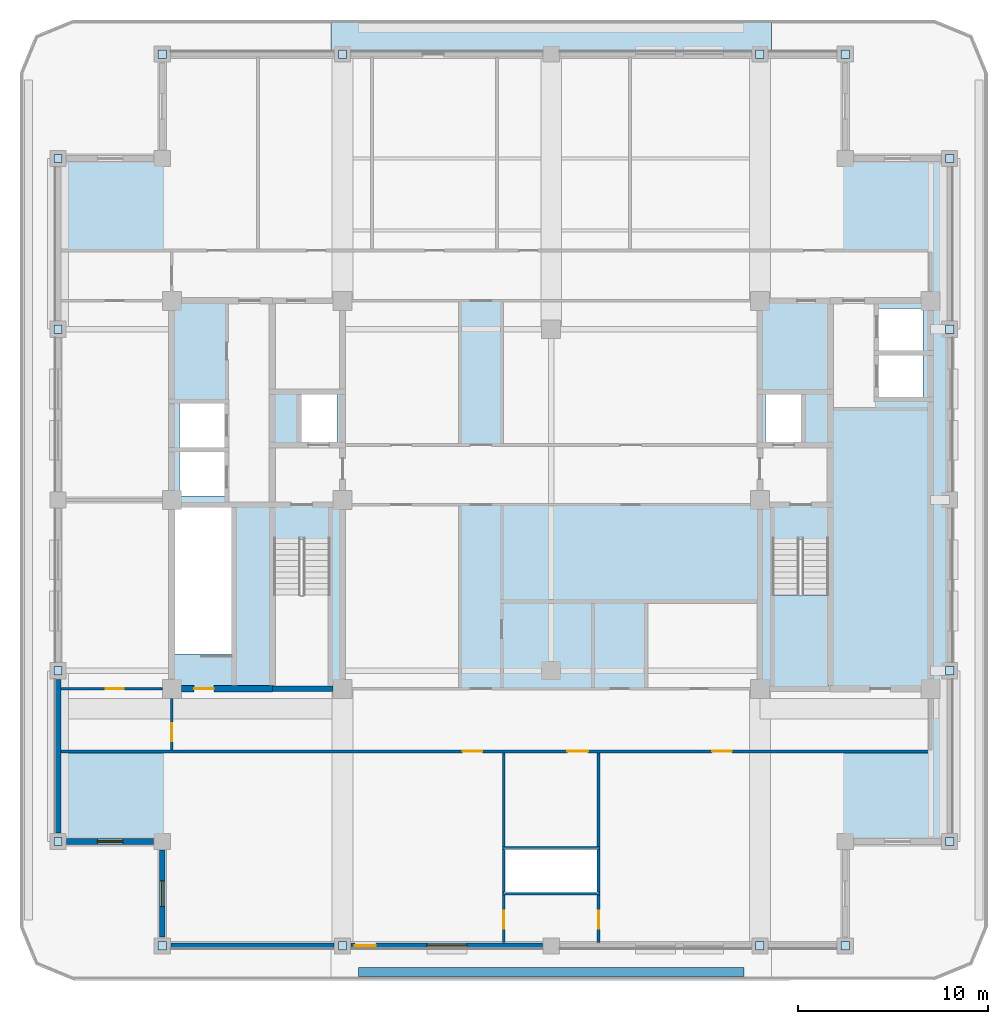
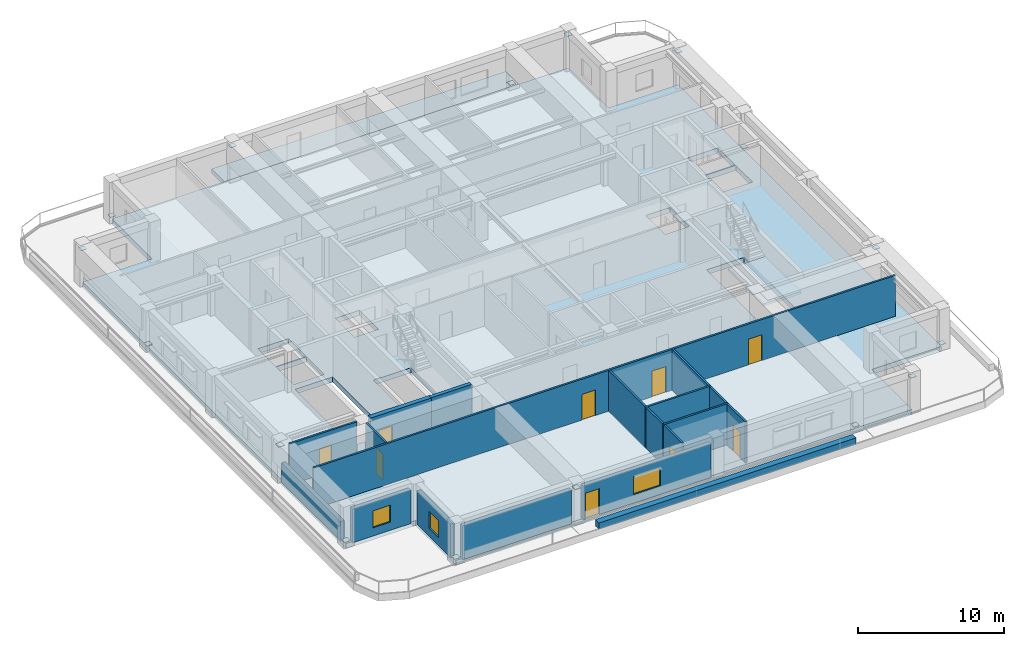
# One storey, part 2 of 11: 19 walls, 16 plates, 9 doors, 3 slabs, 3 windows, 12 openings, 1 element without a shape of its own.
"""IFC4 building model written with IfcOpenShell, lengths in metres."""

from ifc_helpers import new_model, si_unit, direction, frame, frame_2d, origin, origin_2d, place, context, subcontext, project, spatial, polyline, rectangle, outline, extrude, material, layer, layer_set, type_object, element, fill, aggregate, save


model = new_model("IFC4")

# Units and contexts
model_context = context("Model", 3, precision=1e-05, world=origin(), true_north=direction((0.0, 1.0)))
body_context = subcontext(model_context, "Body", "Model", "MODEL_VIEW")
ifc_project = project(units=[si_unit("LENGTHUNIT", "METRE"), si_unit("AREAUNIT", "SQUARE_METRE"), si_unit("VOLUMEUNIT", "CUBIC_METRE"), si_unit("PLANEANGLEUNIT", "RADIAN"), si_unit("MASSUNIT", "GRAM", prefix="KILO")], contexts=[model_context])

# Site, building, storey
site_placement = place(None, origin())
site = spatial("IfcSite", under=ifc_project, at=site_placement, CompositionType="ELEMENT")
building_placement = place(site_placement, origin())
building = spatial("IfcBuilding", under=site, at=building_placement, Name="Zulmaris Gate Convention Tower", CompositionType="ELEMENT")
storey_placement = place(building_placement, frame((0.0, 0.0, 278.06005859375)))
storey = spatial("IfcBuildingStorey", under=building, at=storey_placement, Name="L74", CompositionType="ELEMENT", Elevation=278.06005859375)

# Plates
ifc_material_1 = material(Name="Steel S460", Category="steel")
ifc_layer_1 = layer(ifc_material_1, 0.02490234375, Name="Steel S460")
ifc_layer_set_1 = layer_set([ifc_layer_1], Name="Steel S460")
plate_type = type_object("IfcPlateType", Name="NP-CAP-440", PredefinedType="USERDEFINED", material=ifc_layer_set_1)
for number, where, z_axis, x_axis, name in (
    (1, (-26.0, -18.0, 0.28759765625), (0.0, 0.0, 1.0), (1.0, 0.0, 0.0), "L74 Steel Node Plate PBR-L74-SW-W-CAP"),
    (2, (-26.0, -9.0, 2.782470703125), (0.0, 0.0, 1.0), (1.0, 0.0, 0.0), "L74 Steel Node Plate PBR-L74-SW-W-CAPB"),
    (3, (-26.0, 9.0, 0.28759765625), (0.0, 0.0, 1.0), (1.0, 0.0, 0.0), "L74 Steel Node Plate PBR-L74-NW-W-CAP"),
    (4, (-26.0, 18.0, 2.782470703125), (0.0, 0.0, 1.0), (1.0, 0.0, 0.0), "L74 Steel Node Plate PBR-L74-NW-W-CAPB"),
    (5, (21.0, -18.0, 0.28759765625), (0.0, 0.0, 1.0), (1.0, 0.0, 0.0), "L74 Steel Node Plate PBR-L74-SE-E-CAP"),
    (6, (21.0, -9.0, 2.782470703125), (0.0, 0.0, 1.0), (1.0, 0.0, 0.0), "L74 Steel Node Plate PBR-L74-SE-E-CAPB"),
    (7, (21.0, 9.0, 0.28759765625), (0.0, 0.0, 1.0), (1.0, 0.0, 0.0), "L74 Steel Node Plate PBR-L74-NE-E-CAP"),
    (8, (21.0, 18.0, 2.782470703125), (0.0, 0.0, 1.0), (1.0, 0.0, 0.0), "L74 Steel Node Plate PBR-L74-NE-E-CAPB"),
    (9, (-20.5, -23.5, 0.28759765625), (0.0, 0.0, 1.0), (1.0, 0.0, 0.0), "L74 Steel Node Plate PBR-L74-SW-S-CAP"),
    (10, (-11.0, -23.5, 2.782470703125), (0.0, 0.0, 1.0), (1.0, 0.0, 0.0), "L74 Steel Node Plate PBR-L74-SW-S-CAPB"),
    (11, (11.0, -23.5, 0.28759765625), (0.0, 0.0, 1.0), (1.0, 0.0, 0.0), "L74 Steel Node Plate PBR-L74-SE-S-CAP"),
    (12, (15.5, -23.5, 2.782470703125), (0.0, 0.0, 1.0), (1.0, 0.0, 0.0), "L74 Steel Node Plate PBR-L74-SE-S-CAPB"),
    (13, (-20.5, 23.5, 0.28759765625), (0.0, 0.0, 1.0), (1.0, 0.0, 0.0), "L74 Steel Node Plate PBR-L74-NW-N-CAP"),
    (14, (-11.0, 23.5, 2.782470703125), (0.0, 0.0, 1.0), (1.0, 0.0, 0.0), "L74 Steel Node Plate PBR-L74-NW-N-CAPB"),
    (15, (11.0, 23.5, 0.28759765625), (0.0, 0.0, 1.0), (1.0, 0.0, 0.0), "L74 Steel Node Plate PBR-L74-NE-N-CAP"),
    (16, (15.5, 23.5, 2.782470703125), (0.0, 0.0, 1.0), (1.0, 0.0, 0.0), "L74 Steel Node Plate PBR-L74-NE-N-CAPB"),
):
    element("IfcPlate", number, at=place(storey_placement, frame(where, z_axis=z_axis, x_axis=x_axis)), inside=storey, type_object=plate_type, Name=name, ObjectType="FLANGE PLATE", PredefinedType="USERDEFINED", context=body_context, shape_type="SweptSolid", body=[
        extrude(rectangle(XDim=0.43994140625, YDim=0.43994140625, at=origin_2d()), origin(), (0.0, 0.0, 1.0), 0.02490234375),
    ])

# Slabs
ifc_material_2 = material(Name="Precast concrete C50/60", Category="concrete")
ifc_layer_2 = layer(ifc_material_2, 0.260009765625, Name="Precast concrete C50/60")
ifc_layer_set_2 = layer_set([ifc_layer_2], Name="Precast concrete C50/60")
slab_type_1 = type_object("IfcSlabType", Name="SL-BAL-260", PredefinedType="FLOOR", material=ifc_layer_set_2)
slab_1_placement = place(storey_placement, frame((0.0, 0.0, -0.425048828125)))
element("IfcSlab", 17, at=slab_1_placement, inside=storey, type_object=slab_type_1, Name="L74 North Tree-Balcony Planter Slab", PredefinedType="FLOOR", context=body_context, shape_type="SweptSolid", body=[
    extrude(outline(polyline([(11.597900390625, 25.300048828125), (11.597900390625, 23.5), (-11.597900390625, 23.5), (-11.597900390625, 25.300048828125), (11.597900390625, 25.300048828125)])), origin(), (0.0, 0.0, 1.0), 0.385009765625),
])
ifc_material_3 = material(Name="Concrete C60/75", Category="concrete")
ifc_layer_3 = layer(ifc_material_3, 0.425048828125, Name="Concrete C60/75")
ifc_layer_set_3 = layer_set([ifc_layer_3], Name="Concrete C60/75")
slab_type_2 = type_object("IfcSlabType", Name="SL-FLR-425", PredefinedType="FLOOR", material=ifc_layer_set_3)
slab_2_placement = place(storey_placement, frame((0.0, 0.0, -0.425048828125)))
element("IfcSlab", 18, at=slab_2_placement, inside=storey, type_object=slab_type_2, Name="L74 Shifted Notched-Square Structural Floor Slab", PredefinedType="FLOOR", context=body_context, shape_type="SweptSolid", body=[
    extrude(outline(polyline([(-20.5, -23.5), (15.5, -23.5), (15.5, -18.0), (21.0, -18.0), (21.0, 18.0), (15.5, 18.0), (15.5, 23.5), (-20.5, 23.5), (-20.5, 18.0), (-26.0, 18.0), (-26.0, -18.0), (-20.5, -18.0), (-20.5, -23.5)]), holes=[polyline([(-14.6201171875, -2.080078125), (-14.6201171875, -9.85009765625), (-11.659912109375, -9.85009765625), (-11.659912109375, -2.080078125), (-14.6201171875, -2.080078125)]), polyline([(11.659912109375, -2.080078125), (11.659912109375, -9.85009765625), (14.6201171875, -9.85009765625), (14.6201171875, -2.080078125), (11.659912109375, -2.080078125)]), polyline([(-16.860107421875, -8.1201171875), (-16.860107421875, -0.35009765625), (-19.820068359375, -0.35009765625), (-19.820068359375, -8.1201171875), (-16.860107421875, -8.1201171875)]), polyline([(-13.199951171875, 3.0), (-11.300048828125, 3.0), (-11.300048828125, 5.60009765625), (-13.199951171875, 5.60009765625), (-13.199951171875, 3.0)]), polyline([(11.300048828125, 3.0), (13.199951171875, 3.0), (13.199951171875, 5.60009765625), (11.300048828125, 5.60009765625), (11.300048828125, 3.0)]), polyline([(17.199951171875, 5.39990234375), (19.60009765625, 5.39990234375), (19.60009765625, 7.699951171875), (17.199951171875, 7.699951171875), (17.199951171875, 5.39990234375)]), polyline([(17.199951171875, 7.800048828125), (19.60009765625, 7.800048828125), (19.60009765625, 10.10009765625), (17.199951171875, 10.10009765625), (17.199951171875, 7.800048828125)]), polyline([(-19.60009765625, 0.199951171875), (-17.199951171875, 0.199951171875), (-17.199951171875, 2.60009765625), (-19.60009765625, 2.60009765625), (-19.60009765625, 0.199951171875)]), polyline([(-19.60009765625, 2.699951171875), (-17.199951171875, 2.699951171875), (-17.199951171875, 5.10009765625), (-19.60009765625, 5.10009765625), (-19.60009765625, 2.699951171875)]), polyline([(-2.5, -20.75), (2.5, -20.75), (2.5, -18.35009765625), (-2.5, -18.35009765625), (-2.5, -20.75)])]), origin(), (0.0, 0.0, 1.0), 0.425048828125),
])

# Stair, slab
ifc_material_4 = material(Name="Concrete C45/55", Category="concrete")
stair_type = type_object("IfcStairType", Name="ST-CORE-DOGLEG", PredefinedType="HALF_TURN_STAIR", material=ifc_material_4)
stair_placement = place(storey_placement, origin())
stair = element("IfcStair", 19, at=stair_placement, inside=storey, type_object=stair_type, Name="L74 Core Exit Stair ST-2", PredefinedType="HALF_TURN_STAIR")
ifc_layer_4 = layer(ifc_material_4, 0.199951171875, Name="Concrete C45/55")
ifc_layer_set_4 = layer_set([ifc_layer_4], Name="Concrete C45/55")
slab_type_3 = type_object("IfcSlabType", Name="SL-LND-200", PredefinedType="LANDING", material=ifc_layer_set_4)
slab_3_placement = place(storey_placement, frame((0.0, 0.0, 1.669921875)))
slab_3 = element("IfcSlab", 20, at=slab_3_placement, type_object=slab_type_3, Name="ST-2 landing 1", PredefinedType="LANDING", context=body_context, shape_type="SweptSolid", body=[
    extrude(outline(polyline([(11.659912109375, -5.0), (11.659912109375, -9.85009765625), (14.6201171875, -9.85009765625), (14.6201171875, -5.0), (11.659912109375, -5.0)])), origin(), (0.0, 0.0, 1.0), 0.199951171875),
])
aggregate(stair, [slab_3])

# Wall
ifc_material_5 = material(Name="Concrete C50/60", Category="concrete")
ifc_layer_5 = layer(ifc_material_5, 0.300048828125, Name="Concrete C50/60")
ifc_layer_set_5 = layer_set([ifc_layer_5], Name="Concrete C50/60")
wall_type_1 = type_object("IfcWallType", Name="CORE-300", PredefinedType="SHEAR", material=ifc_layer_set_5)
wall_1_placement = place(storey_placement, frame((-14.699951171875, -9.949951171875, 0.0), z_axis=(0.0, 0.0, 1.0), x_axis=(1.0, 0.0, 0.0)))
element("IfcWall", 21, at=wall_1_placement, inside=storey, type_object=wall_type_1, Name="WL-L74-002", PredefinedType="SHEAR", context=body_context, shape_type="SweptSolid", body=[
    extrude(rectangle(XDim=3.196044921875, YDim=0.300048828125, at=frame_2d((1.59814453125, 0.0))), origin(), (0.0, 0.0, 1.0), 3.4150390625),
])

# Wall, opening, door
ifc_material_6 = material(Name="Concrete C55/67", Category="concrete")
ifc_layer_6 = layer(ifc_material_6, 0.35009765625, Name="Concrete C55/67")
ifc_layer_set_6 = layer_set([ifc_layer_6], Name="Concrete C55/67")
wall_type_2 = type_object("IfcWallType", Name="CORE-350", PredefinedType="SHEAR", material=ifc_layer_set_6)
wall_2_placement = place(storey_placement, frame((-19.49609375, -9.949951171875, 0.0), z_axis=(0.0, 0.0, 1.0), x_axis=(1.0, 0.0, 0.0)))
wall_2 = element("IfcWall", 22, at=wall_2_placement, inside=storey, type_object=wall_type_2, Name="WL-L74-001", PredefinedType="SHEAR", context=body_context, shape_type="SweptSolid", body=[
    extrude(rectangle(XDim=4.796142578125, YDim=0.35009765625, at=frame_2d((2.39794921875, 0.0))), origin(), (0.0, 0.0, 1.0), 3.4150390625),
])
opening_1_placement = place(wall_2_placement, frame((0.6708984375, 0.0, 0.0)))
opening_1 = element("IfcOpeningElement", 23, at=opening_1_placement, cuts=wall_2, Name="Opening D-09", PredefinedType="OPENING", context=body_context, shape_type="SweptSolid", body=[
    extrude(rectangle(XDim=1.050048828125, YDim=2.14990234375, at=frame_2d((0.52490234375, 1.074951171875))), frame((0.0, 0.18505859375, 0.0), z_axis=(0.0, -1.0, 0.0), x_axis=(1.0, 0.0, 0.0)), (0.0, 0.0, 1.0), 0.3701171875),
])
ifc_material_7 = material(Name="Fire-Rated Steel", Category="steel")
door_type_1 = type_object("IfcDoorType", Name="DR-1050-FD", OperationType="NOTDEFINED", PredefinedType="DOOR", material=ifc_material_7)
door_1_placement = place(opening_1_placement, origin())
door_1 = element("IfcDoor", 24, at=door_1_placement, inside=storey, type_object=door_type_1, Name="L74 Exit Stair ST-3 Door 09", OperationType="SINGLE_SWING_LEFT", OverallHeight=2.14990234375, OverallWidth=1.050048828125, PredefinedType="DOOR", context=body_context, shape_type="SweptSolid", body=[
    extrude(rectangle(XDim=1.050048828125, YDim=2.14990234375, at=frame_2d((0.52490234375, 1.074951171875))), frame((0.0, 0.02490234375, 0.0), z_axis=(0.0, -1.0, 0.0), x_axis=(1.0, 0.0, 0.0)), (0.0, 0.0, 1.0), 0.050048828125),
])
fill(opening_1, door_1)

# Walls
ifc_material_8 = material(Name="Gypsum Metal Stud Partition")
ifc_layer_7 = layer(ifc_material_8, 0.14990234375, Name="Gypsum Metal Stud Partition")
ifc_layer_set_7 = layer_set([ifc_layer_7], Name="Gypsum Metal Stud Partition")
wall_type_3 = type_object("IfcWallType", Name="PART-150", PredefinedType="PARTITIONING", material=ifc_layer_set_7)
for number, where, z_axis, x_axis, name in (
    (25, (-2.574951171875, -20.75, 0.0), (0.0, 0.0, 1.0), (1.0, 0.0, 0.0), "WL-L74-019"),
    (26, (-2.574951171875, -18.35009765625, 0.0), (0.0, 0.0, 1.0), (1.0, 0.0, 0.0), "WL-L74-020"),
):
    element("IfcWall", number, at=place(storey_placement, frame(where, z_axis=z_axis, x_axis=x_axis)), inside=storey, type_object=wall_type_3, Name=name, PredefinedType="PARTITIONING", context=body_context, shape_type="SweptSolid", body=[
        extrude(rectangle(XDim=5.14990234375, YDim=0.14990234375, at=frame_2d((2.574951171875, 0.0))), origin(), (0.0, 0.0, 1.0), 3.4150390625),
    ])

# Wall, openings, doors
wall_3_placement = place(storey_placement, frame((-25.8349609375, -13.25, 0.0), z_axis=(0.0, 0.0, 1.0), x_axis=(1.0, 0.0, 0.0)))
wall_3 = element("IfcWall", 27, at=wall_3_placement, inside=storey, type_object=wall_type_3, Name="WL-L74-021", PredefinedType="PARTITIONING", context=body_context, shape_type="SweptSolid", body=[
    extrude(rectangle(XDim=45.909912109375, YDim=0.14990234375, at=frame_2d((22.955078125, 0.0))), origin(), (0.0, 0.0, 1.0), 3.4150390625),
])
opening_2_placement = place(wall_3_placement, frame((26.68505859375, 0.0, 0.0)))
opening_2 = element("IfcOpeningElement", 28, at=opening_2_placement, cuts=wall_3, Name="Opening D-08", PredefinedType="OPENING", context=body_context, shape_type="SweptSolid", body=[
    extrude(rectangle(XDim=1.10009765625, YDim=2.14990234375, at=frame_2d((0.550048828125, 1.074951171875))), frame((0.0, 0.0849609375, 0.0), z_axis=(0.0, -1.0, 0.0), x_axis=(1.0, 0.0, 0.0)), (0.0, 0.0, 1.0), 0.169921875),
])
opening_3_placement = place(wall_3_placement, frame((21.159912109375, 0.0, 0.0)))
opening_3 = element("IfcOpeningElement", 29, at=opening_3_placement, cuts=wall_3, Name="Opening D-09", PredefinedType="OPENING", context=body_context, shape_type="SweptSolid", body=[
    extrude(rectangle(XDim=1.050048828125, YDim=2.14990234375, at=frame_2d((0.52490234375, 1.074951171875))), frame((0.0, 0.0849609375, 0.0), z_axis=(0.0, -1.0, 0.0), x_axis=(1.0, 0.0, 0.0)), (0.0, 0.0, 1.0), 0.169921875),
])
opening_4_placement = place(wall_3_placement, frame((34.31005859375, 0.0, 0.0)))
opening_4 = element("IfcOpeningElement", 30, at=opening_4_placement, cuts=wall_3, Name="Opening D-09", PredefinedType="OPENING", context=body_context, shape_type="SweptSolid", body=[
    extrude(rectangle(XDim=1.050048828125, YDim=2.14990234375, at=frame_2d((0.52490234375, 1.074951171875))), frame((0.0, 0.0849609375, 0.0), z_axis=(0.0, -1.0, 0.0), x_axis=(1.0, 0.0, 0.0)), (0.0, 0.0, 1.0), 0.169921875),
])
door_2_placement = place(opening_3_placement, origin())
door_2 = element("IfcDoor", 31, at=door_2_placement, inside=storey, type_object=door_type_1, Name="L74 Corner Boardroom SW Door 30", OperationType="SINGLE_SWING_RIGHT", OverallHeight=2.14990234375, OverallWidth=1.050048828125, PredefinedType="DOOR", context=body_context, shape_type="SweptSolid", body=[
    extrude(rectangle(XDim=1.050048828125, YDim=2.14990234375, at=frame_2d((0.52490234375, 1.074951171875))), frame((0.0, 0.02490234375, 0.0), z_axis=(0.0, -1.0, 0.0), x_axis=(1.0, 0.0, 0.0)), (0.0, 0.0, 1.0), 0.050048828125),
])
fill(opening_3, door_2)
door_3_placement = place(opening_4_placement, origin())
door_3 = element("IfcDoor", 32, at=door_3_placement, inside=storey, type_object=door_type_1, Name="L74 Corner Boardroom SE Door 31", OperationType="SINGLE_SWING_LEFT", OverallHeight=2.14990234375, OverallWidth=1.050048828125, PredefinedType="DOOR", context=body_context, shape_type="SweptSolid", body=[
    extrude(rectangle(XDim=1.050048828125, YDim=2.14990234375, at=frame_2d((0.52490234375, 1.074951171875))), frame((0.0, 0.02490234375, 0.0), z_axis=(0.0, -1.0, 0.0), x_axis=(1.0, 0.0, 0.0)), (0.0, 0.0, 1.0), 0.050048828125),
])
fill(opening_4, door_3)
door_type_2 = type_object("IfcDoorType", Name="DR-1100-FD", OperationType="NOTDEFINED", PredefinedType="DOOR", material=ifc_material_7)
door_4_placement = place(opening_2_placement, origin())
door_4 = element("IfcDoor", 33, at=door_4_placement, inside=storey, type_object=door_type_2, Name="L74 Mezzanine Gallery Door 29", OperationType="SINGLE_SWING_LEFT", OverallHeight=2.14990234375, OverallWidth=1.10009765625, PredefinedType="DOOR", context=body_context, shape_type="SweptSolid", body=[
    extrude(rectangle(XDim=1.10009765625, YDim=2.14990234375, at=frame_2d((0.550048828125, 1.074951171875))), frame((0.0, 0.02490234375, 0.0), z_axis=(0.0, -1.0, 0.0), x_axis=(1.0, 0.0, 0.0)), (0.0, 0.0, 1.0), 0.050048828125),
])
fill(opening_2, door_4)

# Wall, opening, door
wall_4_placement = place(storey_placement, frame((-25.8349609375, -9.949951171875, 0.0), z_axis=(0.0, 0.0, 1.0), x_axis=(1.0, 0.0, 0.0)))
wall_4 = element("IfcWall", 34, at=wall_4_placement, inside=storey, type_object=wall_type_3, Name="WL-L74-022", PredefinedType="PARTITIONING", context=body_context, shape_type="SweptSolid", body=[
    extrude(rectangle(XDim=5.328857421875, YDim=0.14990234375, at=frame_2d((2.66455078125, 0.0))), origin(), (0.0, 0.0, 1.0), 3.4150390625),
])
opening_5_placement = place(wall_4_placement, frame((2.360107421875, 0.0, 0.0)))
opening_5 = element("IfcOpeningElement", 35, at=opening_5_placement, cuts=wall_4, Name="Opening D-11", PredefinedType="OPENING", context=body_context, shape_type="SweptSolid", body=[
    extrude(rectangle(XDim=0.949951171875, YDim=2.14990234375, at=frame_2d((0.47509765625, 1.074951171875))), frame((0.0, 0.0849609375, 0.0), z_axis=(0.0, -1.0, 0.0), x_axis=(1.0, 0.0, 0.0)), (0.0, 0.0, 1.0), 0.169921875),
])
ifc_material_9 = material(Name="Fire-Rated Timber", Category="wood")
door_type_3 = type_object("IfcDoorType", Name="DR-950-FD", OperationType="NOTDEFINED", PredefinedType="DOOR", material=ifc_material_9)
door_5_placement = place(opening_5_placement, origin())
door_5 = element("IfcDoor", 36, at=door_5_placement, inside=storey, type_object=door_type_3, Name="L74 SW Partner Door 42", OperationType="SINGLE_SWING_RIGHT", OverallHeight=2.14990234375, OverallWidth=0.949951171875, PredefinedType="DOOR", context=body_context, shape_type="SweptSolid", body=[
    extrude(rectangle(XDim=0.949951171875, YDim=2.14990234375, at=frame_2d((0.47509765625, 1.074951171875))), frame((0.0, 0.02490234375, 0.0), z_axis=(0.0, -1.0, 0.0), x_axis=(1.0, 0.0, 0.0)), (0.0, 0.0, 1.0), 0.050048828125),
])
fill(opening_5, door_5)

wall_5_placement = place(storey_placement, frame((-20.0, -13.172119140625, 0.0), z_axis=(0.0, 0.0, 1.0), x_axis=(0.0, 1.0, 0.0)))
wall_5 = element("IfcWall", 37, at=wall_5_placement, inside=storey, type_object=wall_type_3, Name="WL-L74-064", PredefinedType="PARTITIONING", context=body_context, shape_type="SweptSolid", body=[
    extrude(rectangle(XDim=2.716064453125, YDim=0.14990234375, at=frame_2d((1.35791015625, 0.0))), origin(), (0.0, 0.0, 1.0), 3.4150390625),
])
opening_6_placement = place(wall_5_placement, frame((0.45703125, 0.0, 0.0)))
opening_6 = element("IfcOpeningElement", 38, at=opening_6_placement, cuts=wall_5, Name="Opening D-11", PredefinedType="OPENING", context=body_context, shape_type="SweptSolid", body=[
    extrude(rectangle(XDim=0.949951171875, YDim=2.14990234375, at=frame_2d((0.47509765625, 1.074951171875))), frame((0.0, 0.0849609375, 0.0), z_axis=(0.0, -1.0, 0.0), x_axis=(1.0, 0.0, 0.0)), (0.0, 0.0, 1.0), 0.169921875),
])
door_6_placement = place(opening_6_placement, origin())
door_6 = element("IfcDoor", 39, at=door_6_placement, inside=storey, type_object=door_type_3, Name="L74 SW Spur Door 40", OperationType="SINGLE_SWING_RIGHT", OverallHeight=2.14990234375, OverallWidth=0.949951171875, PredefinedType="DOOR", context=body_context, shape_type="SweptSolid", body=[
    extrude(rectangle(XDim=0.949951171875, YDim=2.14990234375, at=frame_2d((0.47509765625, 1.074951171875))), frame((0.0, 0.02490234375, 0.0), z_axis=(0.0, -1.0, 0.0), x_axis=(1.0, 0.0, 0.0)), (0.0, 0.0, 1.0), 0.050048828125),
])
fill(opening_6, door_6)

wall_6_placement = place(storey_placement, frame((-2.5, -23.3349609375, 0.0), z_axis=(0.0, 0.0, 1.0), x_axis=(0.0, 1.0, 0.0)))
wall_6 = element("IfcWall", 40, at=wall_6_placement, inside=storey, type_object=wall_type_3, Name="WL-L74-075", PredefinedType="PARTITIONING", context=body_context, shape_type="SweptSolid", body=[
    extrude(rectangle(XDim=2.507080078125, YDim=0.14990234375, at=frame_2d((1.25341796875, 0.0))), origin(), (0.0, 0.0, 1.0), 3.4150390625),
])
opening_7_placement = place(wall_6_placement, frame((0.739990234375, 0.0, 0.0)))
opening_7 = element("IfcOpeningElement", 41, at=opening_7_placement, cuts=wall_6, Name="Opening D-16", PredefinedType="OPENING", context=body_context, shape_type="SweptSolid", body=[
    extrude(rectangle(XDim=0.949951171875, YDim=2.14990234375, at=frame_2d((0.47509765625, 1.074951171875))), frame((0.0, 0.0849609375, 0.0), z_axis=(0.0, -1.0, 0.0), x_axis=(1.0, 0.0, 0.0)), (0.0, 0.0, 1.0), 0.169921875),
])
ifc_material_10 = material(Name="Veneered Hardwood Timber", Category="wood")
door_type_4 = type_object("IfcDoorType", Name="DR-950", OperationType="NOTDEFINED", PredefinedType="DOOR", material=ifc_material_10)
door_7_placement = place(opening_7_placement, origin())
door_7 = element("IfcDoor", 42, at=door_7_placement, inside=storey, type_object=door_type_4, Name="L74 Terrace Loggia West Door 27", OperationType="SINGLE_SWING_LEFT", OverallHeight=2.14990234375, OverallWidth=0.949951171875, PredefinedType="DOOR", context=body_context, shape_type="SweptSolid", body=[
    extrude(rectangle(XDim=0.949951171875, YDim=2.14990234375, at=frame_2d((0.47509765625, 1.074951171875))), frame((0.0, 0.02490234375, 0.0), z_axis=(0.0, -1.0, 0.0), x_axis=(1.0, 0.0, 0.0)), (0.0, 0.0, 1.0), 0.050048828125),
])
fill(opening_7, door_7)

# Walls
wall_7_placement = place(storey_placement, frame((-2.5, -20.672119140625, 0.0), z_axis=(0.0, 0.0, 1.0), x_axis=(0.0, 1.0, 0.0)))
element("IfcWall", 43, at=wall_7_placement, inside=storey, type_object=wall_type_3, Name="WL-L74-076", PredefinedType="PARTITIONING", context=body_context, shape_type="SweptSolid", body=[
    extrude(rectangle(XDim=2.244140625, YDim=0.14990234375, at=frame_2d((1.1220703125, 0.0))), origin(), (0.0, 0.0, 1.0), 3.4150390625),
])
wall_8_placement = place(storey_placement, frame((-2.5, -18.27197265625, 0.0), z_axis=(0.0, 0.0, 1.0), x_axis=(0.0, 1.0, 0.0)))
element("IfcWall", 44, at=wall_8_placement, inside=storey, type_object=wall_type_3, Name="WL-L74-077", PredefinedType="PARTITIONING", context=body_context, shape_type="SweptSolid", body=[
    extrude(rectangle(XDim=4.944091796875, YDim=0.14990234375, at=frame_2d((2.47216796875, 0.0))), origin(), (0.0, 0.0, 1.0), 3.4150390625),
])

# Wall, opening, door
wall_9_placement = place(storey_placement, frame((2.5, -23.3349609375, 0.0), z_axis=(0.0, 0.0, 1.0), x_axis=(0.0, 1.0, 0.0)))
wall_9 = element("IfcWall", 45, at=wall_9_placement, inside=storey, type_object=wall_type_3, Name="WL-L74-079", PredefinedType="PARTITIONING", context=body_context, shape_type="SweptSolid", body=[
    extrude(rectangle(XDim=2.507080078125, YDim=0.14990234375, at=frame_2d((1.25341796875, 0.0))), origin(), (0.0, 0.0, 1.0), 3.4150390625),
])
opening_8_placement = place(wall_9_placement, frame((0.739990234375, 0.0, 0.0)))
opening_8 = element("IfcOpeningElement", 46, at=opening_8_placement, cuts=wall_9, Name="Opening D-16", PredefinedType="OPENING", context=body_context, shape_type="SweptSolid", body=[
    extrude(rectangle(XDim=0.949951171875, YDim=2.14990234375, at=frame_2d((0.47509765625, 1.074951171875))), frame((0.0, 0.0849609375, 0.0), z_axis=(0.0, -1.0, 0.0), x_axis=(1.0, 0.0, 0.0)), (0.0, 0.0, 1.0), 0.169921875),
])
door_8_placement = place(opening_8_placement, origin())
door_8 = element("IfcDoor", 47, at=door_8_placement, inside=storey, type_object=door_type_4, Name="L74 Terrace Loggia East Door 28", OperationType="SINGLE_SWING_RIGHT", OverallHeight=2.14990234375, OverallWidth=0.949951171875, PredefinedType="DOOR", context=body_context, shape_type="SweptSolid", body=[
    extrude(rectangle(XDim=0.949951171875, YDim=2.14990234375, at=frame_2d((0.47509765625, 1.074951171875))), frame((0.0, 0.02490234375, 0.0), z_axis=(0.0, -1.0, 0.0), x_axis=(1.0, 0.0, 0.0)), (0.0, 0.0, 1.0), 0.050048828125),
])
fill(opening_8, door_8)

# Walls
wall_10_placement = place(storey_placement, frame((2.5, -20.672119140625, 0.0), z_axis=(0.0, 0.0, 1.0), x_axis=(0.0, 1.0, 0.0)))
element("IfcWall", 48, at=wall_10_placement, inside=storey, type_object=wall_type_3, Name="WL-L74-080", PredefinedType="PARTITIONING", context=body_context, shape_type="SweptSolid", body=[
    extrude(rectangle(XDim=2.244140625, YDim=0.14990234375, at=frame_2d((1.1220703125, 0.0))), origin(), (0.0, 0.0, 1.0), 3.4150390625),
])
wall_11_placement = place(storey_placement, frame((2.5, -18.27197265625, 0.0), z_axis=(0.0, 0.0, 1.0), x_axis=(0.0, 1.0, 0.0)))
element("IfcWall", 49, at=wall_11_placement, inside=storey, type_object=wall_type_3, Name="WL-L74-081", PredefinedType="PARTITIONING", context=body_context, shape_type="SweptSolid", body=[
    extrude(rectangle(XDim=4.944091796875, YDim=0.14990234375, at=frame_2d((2.47216796875, 0.0))), origin(), (0.0, 0.0, 1.0), 3.4150390625),
])
ifc_material_11 = material(Name="Botanical Green Glazed Precast Concrete C40/50", Category="concrete")
ifc_layer_8 = layer(ifc_material_11, 0.419921875, Name="Botanical Green Glazed Precast Concrete C40/50")
ifc_layer_set_8 = layer_set([ifc_layer_8], Name="Botanical Green Glazed Precast Concrete C40/50")
wall_type_4 = type_object("IfcWallType", Name="PLANTER-CURB-200", PredefinedType="PARAPET", material=ifc_layer_set_8)
wall_12_placement = place(storey_placement, frame((-10.14990234375, -24.8798828125, -0.0400390625), z_axis=(0.0, 0.0, 1.0), x_axis=(1.0, 0.0, 0.0)))
element("IfcWall", 50, at=wall_12_placement, inside=storey, type_object=wall_type_4, Name="L74 Full-Length Balcony Tree Planter Trough", PredefinedType="PARAPET", context=body_context, shape_type="SweptSolid", body=[
    extrude(rectangle(XDim=20.2998046875, YDim=0.47998046875, at=frame_2d((10.14990234375, 0.0))), origin(), (0.0, 0.0, 1.0), 0.52001953125),
])

# Wall, opening, window
ifc_material_12 = material(Name="Precast concrete C40/50", Category="concrete")
ifc_layer_9 = layer(ifc_material_12, 0.300048828125, Name="Precast concrete C40/50")
ifc_layer_set_9 = layer_set([ifc_layer_9], Name="Precast concrete C40/50")
wall_type_5 = type_object("IfcWallType", Name="PRECAST-PIER-300", PredefinedType="STANDARD", material=ifc_layer_set_9)
wall_13_placement = place(storey_placement, frame((-25.544921875, -18.0, 0.0), z_axis=(0.0, 0.0, 1.0), x_axis=(1.0, 0.0, 0.0)))
wall_13 = element("IfcWall", 51, at=wall_13_placement, inside=storey, type_object=wall_type_5, Name="EW-L74-NOTCH-SW1_0", PredefinedType="STANDARD", context=body_context, shape_type="SweptSolid", body=[
    extrude(rectangle(XDim=4.58984375, YDim=0.300048828125, at=frame_2d((2.294921875, 0.0))), origin(), (0.0, 0.0, 1.0), 2.806884765625),
])
opening_9_placement = place(wall_13_placement, frame((1.6201171875, 0.0, 0.679931640625)))
opening_9 = element("IfcOpeningElement", 52, at=opening_9_placement, cuts=wall_13, Name="Opening W-10", PredefinedType="OPENING", context=body_context, shape_type="SweptSolid", body=[
    extrude(rectangle(XDim=1.35009765625, YDim=1.419921875, at=frame_2d((0.675048828125, 0.7099609375))), frame((0.0, 0.16015625, 0.0), z_axis=(0.0, -1.0, 0.0), x_axis=(1.0, 0.0, 0.0)), (0.0, 0.0, 1.0), 0.320068359375),
])
ifc_material_13 = material(Name="Low-E Laminated Double Glazing in Aluminium Frame", Category="aluminium")
window_type_1 = type_object("IfcWindowType", Name="WIN-1350x2000", PartitioningType="SINGLE_PANEL", PredefinedType="WINDOW", material=ifc_material_13)
window_1_placement = place(opening_9_placement, origin())
window_1 = element("IfcWindow", 53, at=window_1_placement, inside=storey, type_object=window_type_1, Name="WN-EW-L74-NOTCH-SW1_0", OverallHeight=1.419921875, OverallWidth=1.35009765625, PartitioningType="SINGLE_PANEL", PredefinedType="WINDOW", context=body_context, shape_type="SweptSolid", body=[
    extrude(rectangle(XDim=1.35009765625, YDim=1.419921875, at=frame_2d((0.675048828125, 0.7099609375))), frame((0.0, 0.030029296875, 0.0), z_axis=(0.0, -1.0, 0.0), x_axis=(1.0, 0.0, 0.0)), (0.0, 0.0, 1.0), 0.06005859375),
])
fill(opening_9, window_1)

wall_14_placement = place(storey_placement, frame((-20.5, -18.455078125, 0.0), z_axis=(0.0, 0.0, 1.0), x_axis=(0.0, -1.0, 0.0)))
wall_14 = element("IfcWall", 54, at=wall_14_placement, inside=storey, type_object=wall_type_5, Name="EW-L74-NOTCH-SW2_0", PredefinedType="STANDARD", context=body_context, shape_type="SweptSolid", body=[
    extrude(rectangle(XDim=4.58984375, YDim=0.300048828125, at=frame_2d((2.294921875, 0.0))), origin(), (0.0, 0.0, 1.0), 2.806884765625),
])
opening_10_placement = place(wall_14_placement, frame((1.6201171875, 0.0, 0.679931640625)))
opening_10 = element("IfcOpeningElement", 55, at=opening_10_placement, cuts=wall_14, Name="Opening W-10", PredefinedType="OPENING", context=body_context, shape_type="SweptSolid", body=[
    extrude(rectangle(XDim=1.35009765625, YDim=1.419921875, at=frame_2d((0.675048828125, 0.7099609375))), frame((0.0, 0.16015625, 0.0), z_axis=(0.0, -1.0, 0.0), x_axis=(1.0, 0.0, 0.0)), (0.0, 0.0, 1.0), 0.320068359375),
])
window_2_placement = place(opening_10_placement, origin())
window_2 = element("IfcWindow", 56, at=window_2_placement, inside=storey, type_object=window_type_1, Name="WN-EW-L74-NOTCH-SW2_0", OverallHeight=1.419921875, OverallWidth=1.35009765625, PartitioningType="SINGLE_PANEL", PredefinedType="WINDOW", context=body_context, shape_type="SweptSolid", body=[
    extrude(rectangle(XDim=1.35009765625, YDim=1.419921875, at=frame_2d((0.675048828125, 0.7099609375))), frame((0.0, 0.030029296875, 0.0), z_axis=(0.0, -1.0, 0.0), x_axis=(1.0, 0.0, 0.0)), (0.0, 0.0, 1.0), 0.06005859375),
])
fill(opening_10, window_2)

# Wall
wall_15_placement = place(storey_placement, frame((-20.044921875, -23.5, 0.0), z_axis=(0.0, 0.0, 1.0), x_axis=(1.0, 0.0, 0.0)))
element("IfcWall", 57, at=wall_15_placement, inside=storey, type_object=wall_type_5, Name="EW-L74-S-0_0", PredefinedType="STANDARD", context=body_context, shape_type="SweptSolid", body=[
    extrude(rectangle(XDim=8.58984375, YDim=0.300048828125, at=frame_2d((4.294921875, 0.0))), origin(), (0.0, 0.0, 1.0), 2.806884765625),
])

# Wall, openings, door, window
wall_16_placement = place(storey_placement, frame((-10.544921875, -23.5, 0.0), z_axis=(0.0, 0.0, 1.0), x_axis=(1.0, 0.0, 0.0)))
wall_16 = element("IfcWall", 58, at=wall_16_placement, inside=storey, type_object=wall_type_5, Name="EW-L74-S-1_0", PredefinedType="STANDARD", context=body_context, shape_type="SweptSolid", body=[
    extrude(rectangle(XDim=10.08984375, YDim=0.300048828125, at=frame_2d((5.044921875, 0.0))), origin(), (0.0, 0.0, 1.0), 2.806884765625),
])
opening_11_placement = place(wall_16_placement, frame((0.199951171875, 0.0, 0.0)))
opening_11 = element("IfcOpeningElement", 59, at=opening_11_placement, cuts=wall_16, Name="Opening D-04", PredefinedType="OPENING", context=body_context, shape_type="SweptSolid", body=[
    extrude(rectangle(XDim=1.10009765625, YDim=2.14990234375, at=frame_2d((0.550048828125, 1.074951171875))), frame((0.0, 0.16015625, 0.0), z_axis=(0.0, -1.0, 0.0), x_axis=(1.0, 0.0, 0.0)), (0.0, 0.0, 1.0), 0.320068359375),
])
opening_12_placement = place(wall_16_placement, frame((3.9951171875, 0.0, 0.699951171875)))
opening_12 = element("IfcOpeningElement", 60, at=opening_12_placement, cuts=wall_16, Name="Opening W-05", PredefinedType="OPENING", context=body_context, shape_type="SweptSolid", body=[
    extrude(rectangle(XDim=2.10009765625, YDim=1.5, at=frame_2d((1.050048828125, 0.75))), frame((0.0, 0.16015625, 0.0), z_axis=(0.0, -1.0, 0.0), x_axis=(1.0, 0.0, 0.0)), (0.0, 0.0, 1.0), 0.320068359375),
])
ifc_material_14 = material(Name="Anodised Aluminium and Laminated Glass", Category="aluminium")
door_type_5 = type_object("IfcDoorType", Name="ED-1100", OperationType="SINGLE_SWING_RIGHT", PredefinedType="DOOR", material=ifc_material_14)
door_9_placement = place(opening_11_placement, origin())
door_9 = element("IfcDoor", 61, at=door_9_placement, inside=storey, type_object=door_type_5, Name="L74 S Planted Terrace Door", OperationType="SINGLE_SWING_RIGHT", OverallHeight=2.14990234375, OverallWidth=1.10009765625, PredefinedType="DOOR", context=body_context, shape_type="SweptSolid", body=[
    extrude(rectangle(XDim=1.10009765625, YDim=2.14990234375, at=frame_2d((0.550048828125, 1.074951171875))), frame((0.0, 0.02490234375, 0.0), z_axis=(0.0, -1.0, 0.0), x_axis=(1.0, 0.0, 0.0)), (0.0, 0.0, 1.0), 0.050048828125),
])
fill(opening_11, door_9)
window_type_2 = type_object("IfcWindowType", Name="WIN-2100x2400", PartitioningType="SINGLE_PANEL", PredefinedType="WINDOW", material=ifc_material_13)
window_3_placement = place(opening_12_placement, origin())
window_3 = element("IfcWindow", 62, at=window_3_placement, inside=storey, type_object=window_type_2, Name="WN-EW-L74-S-1_0-2", OverallHeight=1.5, OverallWidth=2.10009765625, PartitioningType="SINGLE_PANEL", PredefinedType="WINDOW", context=body_context, shape_type="SweptSolid", body=[
    extrude(rectangle(XDim=2.10009765625, YDim=1.5, at=frame_2d((1.050048828125, 0.75))), frame((0.0, 0.030029296875, 0.0), z_axis=(0.0, -1.0, 0.0), x_axis=(1.0, 0.0, 0.0)), (0.0, 0.0, 1.0), 0.06005859375),
])
fill(opening_12, window_3)

# Wall
wall_17_placement = place(storey_placement, frame((-26.0, -9.455078125, 0.0), z_axis=(0.0, 0.0, 1.0), x_axis=(0.0, -1.0, 0.0)))
element("IfcWall", 63, at=wall_17_placement, inside=storey, type_object=wall_type_5, Name="EW-L74-W-0_0", PredefinedType="STANDARD", context=body_context, shape_type="SweptSolid", body=[
    extrude(rectangle(XDim=8.08984375, YDim=0.300048828125, at=frame_2d((4.044921875, 0.0))), origin(), (0.0, 0.0, 1.0), 1.60693359375),
])

save(model, "model.ifc")
